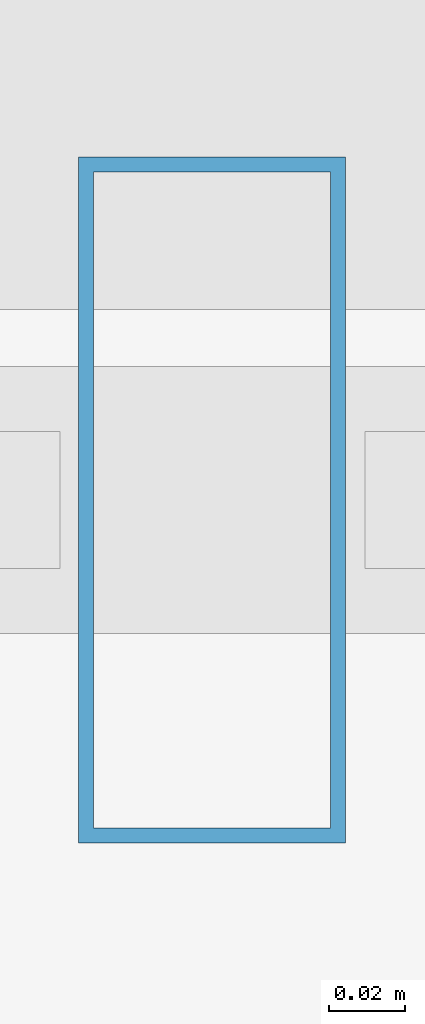
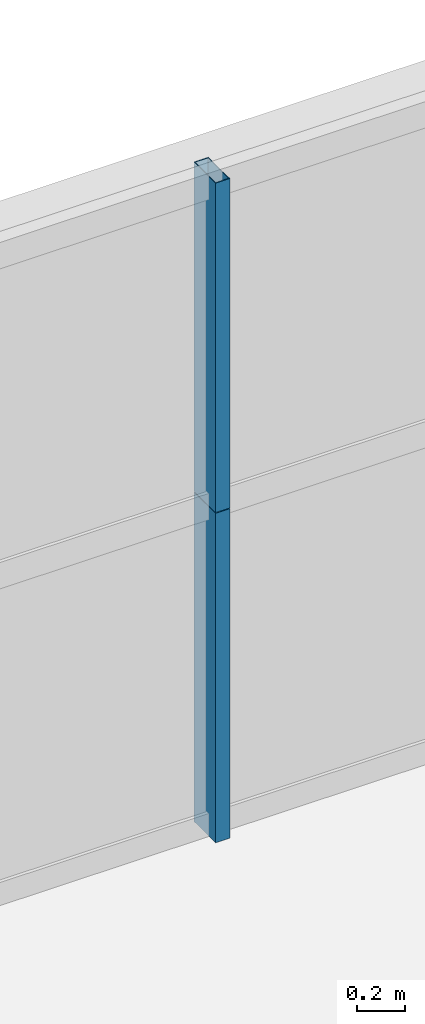
# One storey, part 28 of 43: 2 members, 1 element without a shape of its own.
"""IFC4 building model written with IfcOpenShell, lengths in metres."""

from ifc_helpers import new_model, si_unit, direction, frame, origin, origin_2d, place, context, subcontext, project, spatial, hollow_rectangle, extrude, source, transform, mapped, material, layer, layer_set, material_profile, profile_set, type_object, element, aggregate, save


model = new_model("IFC4")

# Units and contexts
model_context = context("Model", 3, precision=1e-05, world=origin(), true_north=direction((0.0, 1.0)))
body_context = subcontext(model_context, "Body", "Model", "MODEL_VIEW")
ifc_project = project(units=[si_unit("LENGTHUNIT", "METRE"), si_unit("AREAUNIT", "SQUARE_METRE"), si_unit("VOLUMEUNIT", "CUBIC_METRE"), si_unit("PLANEANGLEUNIT", "RADIAN"), si_unit("MASSUNIT", "GRAM", prefix="KILO"), si_unit("THERMODYNAMICTEMPERATUREUNIT", "KELVIN"), si_unit("POWERUNIT", "WATT")], contexts=[model_context])

# Site, building, storey
site_placement = place(None, origin())
site = spatial("IfcSite", under=ifc_project, at=site_placement, CompositionType="ELEMENT")
building_placement = place(site_placement, origin())
building = spatial("IfcBuilding", under=site, at=building_placement, Name="Yuzanri Waterfront Tower", CompositionType="ELEMENT")
storey_placement = place(building_placement, frame((0.0, 0.0, 74.800048828125)))
storey = spatial("IfcBuildingStorey", under=building, at=storey_placement, Name="L19", CompositionType="ELEMENT", Elevation=74.800048828125)

# Curtain wall, members
ifc_material_1 = material(Name="Anodized Architectural Bronze", Category="metal")
ifc_layer = layer(ifc_material_1, 0.159912109375)
ifc_layer_set = layer_set([ifc_layer], Name="Anodized Architectural Bronze")
curtain_wall_type = type_object("IfcCurtainWallType", Name="Anodized Bronze Hotel Lower-Tier Recessed Unitized Curtain Wall 8100", PredefinedType="NOTDEFINED", material=ifc_layer_set)
curtain_wall_placement = place(storey_placement, origin())
curtain_wall = element("IfcCurtainWall", 1, at=curtain_wall_placement, inside=storey, type_object=curtain_wall_type, Name="L19 Curtain Wall CW-L19-NL", PredefinedType="NOTDEFINED")
ifc_material_2 = material(Name="Anodized Architectural Bronze", Category="metal")
ifc_material_profile = material_profile(ifc_material_2, hollow_rectangle(XDim=0.070068359375, YDim=0.179931640625, WallThickness=0.00390625, at=origin_2d()), Name="CWM 70x180")
ifc_profile_set = profile_set([ifc_material_profile], Name="Anodized Architectural Bronze")
member_type = type_object("IfcMemberType", Name="Anodized Bronze Standard Curtain-Wall Mullion 70x180", PredefinedType="MULLION", material=ifc_profile_set)
shared_shape = source(origin(), body_context, "Body", "SweptSolid", [
    extrude(hollow_rectangle(XDim=0.070068359375, YDim=0.179931640625, WallThickness=0.00390625, at=origin_2d()), origin(), (0.0, 0.0, 1.0), 1.68798828125),
])
member_1_placement = place(storey_placement, frame((27.89990234375, 50.75, 0.0), z_axis=(0.0, 0.0, 1.0), x_axis=(1.0, 0.0, 0.0)))
member_1 = element("IfcMember", 2, at=member_1_placement, type_object=member_type, Name="CW-L19-NL Lower Mullion 01", PredefinedType="MULLION", context=body_context, shape_type="MappedRepresentation", body=[
    mapped(shared_shape, transform((0.0, 0.0, 0.0), scale=1.0)),
])
member_2_placement = place(storey_placement, frame((27.89990234375, 50.75, 1.69189453125), z_axis=(0.0, 0.0, 1.0), x_axis=(1.0, 0.0, 0.0)))
member_2 = element("IfcMember", 3, at=member_2_placement, type_object=member_type, Name="CW-L19-NL Upper Mullion 01", PredefinedType="MULLION", context=body_context, shape_type="MappedRepresentation", body=[
    mapped(shared_shape, transform((0.0, 0.0, 0.0), scale=1.0)),
])
aggregate(curtain_wall, [member_1, member_2])

save(model, "model.ifc")
